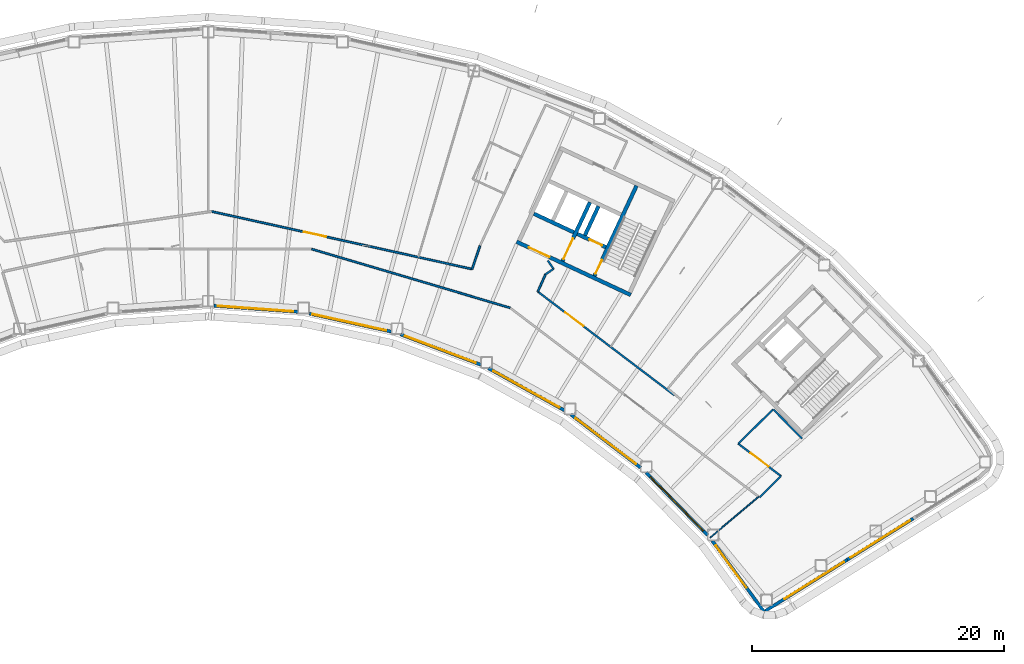
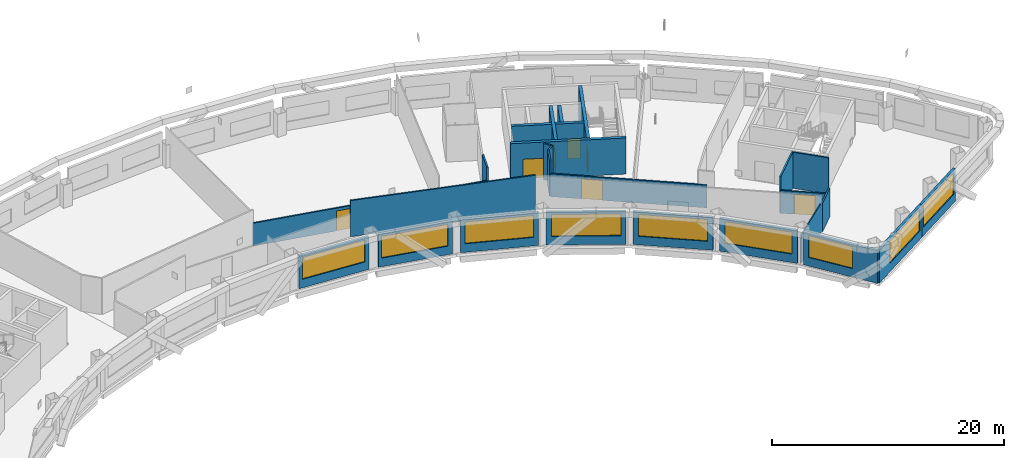
# One storey, part 8 of 20: 27 walls, 9 windows, 7 doors, 16 openings.
"""IFC4 building model written with IfcOpenShell, lengths in metres."""

import ifcopenshell
import ifcopenshell.guid

model = None  # the IFC model being written
_history = None  # IfcOwnerHistory: only IFC2X3 demands one
_inside = {}  # id of a spatial element -> (the spatial element, [elements in it])
_under = {}  # id of a project, library or spatial element -> (it, [spatial elements below it])
_declared = {}  # id of a project -> (the project, [libraries it declares])
_typed = {}  # id of a type object -> (the type object, [elements of that type])
_made_of = {}  # id of a material, layer set ... -> (it, [elements and type objects made of it])


def new_model(schema):
    """Start an empty IFC model of exactly this schema.

    Asked for "IFC4X3", IfcOpenShell would pick the latest addendum, in which some entities
    have other attributes; the version numbers below select the first issue.
    IFC2X3 requires an IfcOwnerHistory on every rooted entity: one is made here for all.
    """
    global model, _history
    if schema == "IFC4X3":
        model = ifcopenshell.file(schema_version=(4, 3, 0, 0))
    else:
        model = ifcopenshell.file(schema=schema)
    _inside.clear()
    _under.clear()
    _declared.clear()
    _typed.clear()
    _made_of.clear()
    _history = None
    if model.schema == "IFC2X3":
        org = make("IfcOrganization", Name="unknown")
        user = make(
            "IfcPersonAndOrganization",
            ThePerson=make("IfcPerson", FamilyName="unknown"),
            TheOrganization=org,
        )
        app = make(
            "IfcApplication",
            ApplicationDeveloper=org,
            Version="unknown",
            ApplicationFullName="unknown",
            ApplicationIdentifier="unknown",
        )
        _history = make(
            "IfcOwnerHistory",
            OwningUser=user,
            OwningApplication=app,
            ChangeAction="ADDED",
            CreationDate=0,
        )
    return model


def make(cls, **values):
    """One entity of the class cls with the attributes given. An attribute that is None is left unset."""
    return model.create_entity(
        cls, **{name: value for name, value in values.items() if value is not None}
    )


def rooted(cls, **values):
    """An entity with a GlobalId (a new one), such as an element, a storey or a relation."""
    return make(cls, GlobalId=ifcopenshell.guid.new(), OwnerHistory=_history, **values)


def si_unit(unit_type, name, prefix=None):
    """IfcSIUnit, for example si_unit("LENGTHUNIT", "METRE", prefix="MILLI")."""
    return make("IfcSIUnit", UnitType=unit_type, Prefix=prefix, Name=name)


def assignment(units):
    """IfcUnitAssignment: the units of a project."""
    return None if units is None else make("IfcUnitAssignment", Units=units)


def point(xyz):
    """IfcCartesianPoint."""
    return None if xyz is None else make("IfcCartesianPoint", Coordinates=xyz)


def direction(xyz):
    """IfcDirection."""
    return None if xyz is None else make("IfcDirection", DirectionRatios=xyz)


def frame(location, z_axis=None, x_axis=None):
    """IfcAxis2Placement3D, a coordinate frame: its origin and axes. An axis left out is left unset."""
    return make(
        "IfcAxis2Placement3D",
        Location=point(location),
        Axis=direction(z_axis),
        RefDirection=direction(x_axis),
    )


def frame_2d(location, x_axis=None):
    """IfcAxis2Placement2D, a coordinate frame in the plane: its origin and x axis."""
    return make(
        "IfcAxis2Placement2D", Location=point(location), RefDirection=direction(x_axis)
    )


def origin():
    """The frame at (0, 0, 0) with its axes left unset."""
    return frame((0.0, 0.0, 0.0))


def place(relative_to, where):
    """IfcLocalPlacement: puts the frame where relative to a parent placement (None: the world)."""
    return make(
        "IfcLocalPlacement", PlacementRelTo=relative_to, RelativePlacement=where
    )


def context(
    kind, dimensions, precision=None, world=None, true_north=None, identifier=None
):
    """IfcGeometricRepresentationContext, for example the 3D "Model" context."""
    return make(
        "IfcGeometricRepresentationContext",
        ContextIdentifier=identifier,
        ContextType=kind,
        CoordinateSpaceDimension=dimensions,
        Precision=precision,
        WorldCoordinateSystem=world,
        TrueNorth=true_north,
    )


def subcontext(parent, identifier, kind, view, scale=None):
    """IfcGeometricRepresentationSubContext, for example "Body" below "Model"."""
    return make(
        "IfcGeometricRepresentationSubContext",
        ContextIdentifier=identifier,
        ContextType=kind,
        ParentContext=parent,
        TargetScale=scale,
        TargetView=view,
    )


def project(units=None, contexts=None):
    """IfcProject with its units and contexts."""
    return rooted(
        "IfcProject",
        Name="project",
        RepresentationContexts=contexts,
        UnitsInContext=assignment(units),
    )


def spatial(cls, under=None, at=None, **own):
    """A site, building, storey or space (cls), placed at a placement, below another one or the project."""
    s = rooted(cls, ObjectPlacement=at, **own)
    if under is not None:
        _under.setdefault(under.id(), (under, []))[1].append(s)
    return s


def profile(cls, at=None, kind="AREA", **sizes):
    """A parametric profile (cls). Its sizes go by their IFC names, for example OverallWidth=200.0."""
    return make(cls, ProfileType=kind, Position=at, **sizes)


def rectangle(**sizes):
    """IfcRectangleProfileDef."""
    return profile("IfcRectangleProfileDef", **sizes)


def extrude(swept, where, along, depth):
    """IfcExtrudedAreaSolid: the profile swept, set in the frame where, extruded along a direction by depth."""
    return make(
        "IfcExtrudedAreaSolid",
        SweptArea=swept,
        Position=where,
        ExtrudedDirection=direction(along),
        Depth=depth,
    )


def shape(context_of_items, identifier, shape_type, items):
    """IfcShapeRepresentation: the items that make up one representation, for example the "Body"."""
    return make(
        "IfcShapeRepresentation",
        ContextOfItems=context_of_items,
        RepresentationIdentifier=identifier,
        RepresentationType=shape_type,
        Items=items,
    )


def material(Name=None, Category=None):
    """IfcMaterial."""
    return make("IfcMaterial", Name=Name, Category=Category)


def layer(
    of_material, thickness, ventilated=None, Name=None, Category=None, Priority=None
):
    """IfcMaterialLayer: one layer of a wall or slab, of a material (None: an air gap)."""
    return make(
        "IfcMaterialLayer",
        Material=of_material,
        LayerThickness=thickness,
        IsVentilated=ventilated,
        Name=Name,
        Category=Category,
        Priority=Priority,
    )


def layer_set(layers, Name=None):
    """IfcMaterialLayerSet."""
    return make("IfcMaterialLayerSet", MaterialLayers=layers, LayerSetName=Name)


def made_of(thing, what):
    """Note that an element or type object is made of a material, layer set ...; save() writes the relation."""
    if what is not None:
        _made_of.setdefault(what.id(), (what, []))[1].append(thing)
    return thing


def type_object(cls, material=None, **own):
    """A type object (cls), such as IfcWallType, which elements share."""
    return made_of(rooted(cls, **own), material)


def element(
    cls,
    number,
    at=None,
    inside=None,
    cuts=None,
    type_object=None,
    material=None,
    context=None,
    identifier="Body",
    shape_type=None,
    held_by="IfcProductDefinitionShape",
    body=None,
    shapes=None,
    **own,
):
    """One element of the class cls, such as IfcWall. Its Tag is "e" and its number.

    at: its placement. inside: the storey or other place that contains it. cuts: it is an
    opening in that element (IfcRelVoidsElement). A single representation is given by context,
    identifier, shape_type and body (its items); several are given by shapes. held_by: the class
    of the entity that holds the representations. save() writes the other relations.
    """
    e = rooted(cls, Tag="e%d" % number, ObjectPlacement=at, **own)
    if body is not None:
        shapes = [shape(context, identifier, shape_type, body)]
    if shapes is not None:
        e.Representation = make(held_by, Representations=shapes)
    if inside is not None:
        _inside.setdefault(inside.id(), (inside, []))[1].append(e)
    if cuts is not None:
        rooted(
            "IfcRelVoidsElement", RelatingBuildingElement=cuts, RelatedOpeningElement=e
        )
    if type_object is not None:
        _typed.setdefault(type_object.id(), (type_object, []))[1].append(e)
    return made_of(e, material)


def fill(opening, filler):
    """IfcRelFillsElement: the door or window that sits in an opening."""
    return rooted(
        "IfcRelFillsElement",
        RelatingOpeningElement=opening,
        RelatedBuildingElement=filler,
    )


def aggregate(whole, parts):
    """IfcRelAggregates: a whole, such as a stair, and the parts it consists of."""
    return rooted("IfcRelAggregates", RelatingObject=whole, RelatedObjects=parts)


def save(model, path):
    """Write the relations noted so far, then the file.

    IfcRelAggregates (storeys below a building ...), IfcRelContainedInSpatialStructure (elements
    in a storey), IfcRelDefinesByType, IfcRelAssociatesMaterial and IfcRelDeclares: one each for
    every whole, place, type object, material and project.
    """
    for whole, parts in _under.values():
        aggregate(whole, parts)
    for where, things in _inside.values():
        rooted(
            "IfcRelContainedInSpatialStructure",
            RelatedElements=things,
            RelatingStructure=where,
        )
    for kind, things in _typed.values():
        rooted("IfcRelDefinesByType", RelatedObjects=things, RelatingType=kind)
    for what, things in _made_of.values():
        rooted("IfcRelAssociatesMaterial", RelatedObjects=things, RelatingMaterial=what)
    for by, libraries in _declared.values():
        rooted("IfcRelDeclares", RelatingContext=by, RelatedDefinitions=libraries)
    model.write(path)


model = new_model("IFC4")

# Units and contexts
model_context = context("Model", 3, precision=1e-05, world=origin(), true_north=direction((0.0, 1.0)))
body_context = subcontext(model_context, "Body", "Model", "MODEL_VIEW")
ifc_project = project(units=[si_unit("LENGTHUNIT", "METRE"), si_unit("AREAUNIT", "SQUARE_METRE"), si_unit("VOLUMEUNIT", "CUBIC_METRE"), si_unit("PLANEANGLEUNIT", "RADIAN"), si_unit("MASSUNIT", "GRAM", prefix="KILO")], contexts=[model_context])

# Site, building, storey
site_placement = place(None, origin())
site = spatial("IfcSite", under=ifc_project, at=site_placement, CompositionType="ELEMENT")
building_placement = place(site_placement, origin())
building = spatial("IfcBuilding", under=site, at=building_placement, Name="Tuul Gate Civic Tower", CompositionType="ELEMENT")
storey_placement = place(building_placement, frame((0.0, 0.0, 197.300048828125)))
storey = spatial("IfcBuildingStorey", under=building, at=storey_placement, Name="Level 45", CompositionType="ELEMENT", Elevation=197.300048828125)

# Wall, opening, door
ifc_material_1 = material(Name="Concrete C50/60", Category="concrete")
ifc_layer_1 = layer(ifc_material_1, 0.300048828125)
ifc_layer_set_1 = layer_set([ifc_layer_1], Name="Concrete C50/60")
wall_type_1 = type_object("IfcWallType", Name="Core wall C50/60", PredefinedType="SHEAR", material=ifc_layer_set_1)
wall_1_placement = place(storey_placement, frame((34.5283203125, -7.25, 0.0), z_axis=(0.0, 0.0, 1.0), x_axis=(-0.906310338845, 0.422612789327, 0.0)))
wall_1 = element("IfcWall", 1, at=wall_1_placement, inside=storey, type_object=wall_type_1, Name="Core wall", PredefinedType="SHEAR", context=body_context, shape_type="SweptSolid", body=[
    extrude(rectangle(XDim=9.999755859375, YDim=0.300048828125, at=frame_2d((5.0, 0.0))), origin(), (0.0, 0.0, 1.0), 3.800048828125),
])
opening_1_placement = place(wall_1_placement, frame((7.125, 0.0, 0.0)))
opening_1 = element("IfcOpeningElement", 2, at=opening_1_placement, cuts=wall_1, Name="Opening LB-E3-LOBBY-1", PredefinedType="OPENING", context=body_context, shape_type="SweptSolid", body=[
    extrude(rectangle(XDim=1.800048828125, YDim=2.10009765625, at=frame_2d((0.89990234375, 1.050048828125))), frame((0.0, 0.16015625, 0.0), z_axis=(0.0, -1.0, 0.0), x_axis=(1.0, 0.0, 0.0)), (0.0, 0.0, 1.0), 0.320068359375),
])
ifc_material_2 = material(Name="Steel", Category="steel")
door_type_1 = type_object("IfcDoorType", Name="Lobby door", OperationType="DOUBLE_DOOR_SINGLE_SWING", PredefinedType="DOOR", material=ifc_material_2)
door_1_placement = place(opening_1_placement, frame((1.800048828125, 0.0, 0.0), z_axis=(0.0, 0.0, 1.0), x_axis=(-1.0, 0.0, 0.0)))
door_1 = element("IfcDoor", 3, at=door_1_placement, inside=storey, type_object=door_type_1, Name="Lobby door E3-LOBBY", OperationType="DOUBLE_DOOR_SINGLE_SWING", OverallHeight=2.10009765625, OverallWidth=1.800048828125, PredefinedType="DOOR", context=body_context, shape_type="SweptSolid", body=[
    extrude(rectangle(XDim=1.800048828125, YDim=2.10009765625, at=frame_2d((0.900146484375, 1.050048828125))), frame((0.0, 0.02490234375, 0.0), z_axis=(0.0, -1.0, 0.0), x_axis=(1.0, 0.0, 0.0)), (0.0, 0.0, 1.0), 0.050048828125),
])
fill(opening_1, door_1)

wall_2_placement = place(storey_placement, frame((32.545654296875, -3.456787109375, 0.0), z_axis=(0.0, 0.0, 1.0), x_axis=(-0.906300357825, 0.42263419337, 0.0)))
wall_2 = element("IfcWall", 4, at=wall_2_placement, inside=storey, type_object=wall_type_1, Name="Core wall", PredefinedType="SHEAR", context=body_context, shape_type="SweptSolid", body=[
    extrude(rectangle(XDim=2.500244140625, YDim=0.300048828125, at=frame_2d((1.25, 0.0))), origin(), (0.0, 0.0, 1.0), 3.800048828125),
])
opening_2_placement = place(wall_2_placement, frame((0.324951171875, 0.0, 0.0)))
opening_2 = element("IfcOpeningElement", 5, at=opening_2_placement, cuts=wall_2, Name="Opening LD-FF-2", PredefinedType="OPENING", context=body_context, shape_type="SweptSolid", body=[
    extrude(rectangle(XDim=1.10009765625, YDim=2.10009765625, at=frame_2d((0.550048828125, 1.050048828125))), frame((0.0, 0.16015625, 0.0), z_axis=(0.0, -1.0, 0.0), x_axis=(1.0, 0.0, 0.0)), (0.0, 0.0, 1.0), 0.320068359375),
])
ifc_material_3 = material(Name="Stainless steel", Category="steel")
door_type_2 = type_object("IfcDoorType", Name="Landing door", OperationType="DOUBLE_DOOR_SLIDING", PredefinedType="DOOR", material=ifc_material_3)
door_2_placement = place(opening_2_placement, origin())
door_2 = element("IfcDoor", 6, at=door_2_placement, inside=storey, type_object=door_type_2, Name="Fire-fighting lift FF-2 landing door", OperationType="DOUBLE_DOOR_SLIDING", OverallHeight=2.10009765625, OverallWidth=1.10009765625, PredefinedType="DOOR", context=body_context, shape_type="SweptSolid", body=[
    extrude(rectangle(XDim=1.10009765625, YDim=2.10009765625, at=frame_2d((0.550048828125, 1.050048828125))), frame((0.0, 0.02490234375, 0.0), z_axis=(0.0, -1.0, 0.0), x_axis=(1.0, 0.0, 0.0)), (0.0, 0.0, 1.0), 0.050048828125),
])
fill(opening_2, door_2)

# Wall
wall_3_placement = place(storey_placement, frame((30.0078125, -2.2734375, 0.0), z_axis=(0.0, 0.0, 1.0), x_axis=(-0.90630071767, 0.422633421716, 0.0)))
element("IfcWall", 7, at=wall_3_placement, inside=storey, type_object=wall_type_1, Name="Core wall", PredefinedType="SHEAR", context=body_context, shape_type="SweptSolid", body=[
    extrude(rectangle(XDim=3.5, YDim=0.300048828125, at=frame_2d((1.75, 0.0))), origin(), (0.0, 0.0, 1.0), 3.800048828125),
])

# Wall, opening, door
wall_4_placement = place(storey_placement, frame((31.646240234375, -5.740478515625, 0.0), z_axis=(0.0, 0.0, 1.0), x_axis=(0.422582604137, 0.906324413596, 0.0)))
wall_4 = element("IfcWall", 8, at=wall_4_placement, inside=storey, type_object=wall_type_1, Name="Core wall", PredefinedType="SHEAR", context=body_context, shape_type="SweptSolid", body=[
    extrude(rectangle(XDim=7.89990234375, YDim=0.300048828125, at=frame_2d((3.949951171875, 0.0))), origin(), (0.0, 0.0, 1.0), 3.800048828125),
])
opening_3_placement = place(wall_4_placement, frame((0.199951171875, 0.0, 0.0)))
opening_3 = element("IfcOpeningElement", 9, at=opening_3_placement, cuts=wall_4, Name="Opening SD-ST-4", PredefinedType="OPENING", context=body_context, shape_type="SweptSolid", body=[
    extrude(rectangle(XDim=1.199951171875, YDim=2.10009765625, at=frame_2d((0.60009765625, 1.050048828125))), frame((0.0, 0.16015625, 0.0), z_axis=(0.0, -1.0, 0.0), x_axis=(1.0, 0.0, 0.0)), (0.0, 0.0, 1.0), 0.320068359375),
])
ifc_material_4 = material(Name="Steel", Category="steel")
door_type_3 = type_object("IfcDoorType", Name="Stair door", OperationType="NOTDEFINED", PredefinedType="DOOR", material=ifc_material_4)
door_3_placement = place(opening_3_placement, origin())
door_3 = element("IfcDoor", 10, at=door_3_placement, inside=storey, type_object=door_type_3, Name="Stair door ST-4", OperationType="SINGLE_SWING_LEFT", OverallHeight=2.10009765625, OverallWidth=1.199951171875, PredefinedType="DOOR", context=body_context, shape_type="SweptSolid", body=[
    extrude(rectangle(XDim=1.199951171875, YDim=2.10009765625, at=frame_2d((0.60009765625, 1.050048828125))), frame((0.0, 0.02490234375, 0.0), z_axis=(0.0, -1.0, 0.0), x_axis=(1.0, 0.0, 0.0)), (0.0, 0.0, 1.0), 0.050048828125),
])
fill(opening_3, door_3)

# Wall
wall_5_placement = place(storey_placement, frame((30.886962890625, -2.517822265625, 0.0), z_axis=(0.0, 0.0, 1.0), x_axis=(0.422612891016, 0.906310291427, 0.0)))
element("IfcWall", 11, at=wall_5_placement, inside=storey, type_object=wall_type_1, Name="Core wall", PredefinedType="SHEAR", context=body_context, shape_type="SweptSolid", body=[
    extrude(rectangle(XDim=2.550048828125, YDim=0.300048828125, at=frame_2d((1.27490234375, 0.0))), origin(), (0.0, 0.0, 1.0), 3.800048828125),
])

# Wall, opening, door
wall_6_placement = place(storey_placement, frame((29.108642578125, -4.557373046875, 0.0), z_axis=(0.0, 0.0, 1.0), x_axis=(0.422566235356, 0.90633204552, 0.0)))
wall_6 = element("IfcWall", 12, at=wall_6_placement, inside=storey, type_object=wall_type_1, Name="Core wall", PredefinedType="SHEAR", context=body_context, shape_type="SweptSolid", body=[
    extrude(rectangle(XDim=5.150146484375, YDim=0.300048828125, at=frame_2d((2.5751953125, 0.0))), origin(), (0.0, 0.0, 1.0), 3.800048828125),
])
opening_4_placement = place(wall_6_placement, frame((0.175048828125, 0.0, 0.0)))
opening_4 = element("IfcOpeningElement", 13, at=opening_4_placement, cuts=wall_6, Name="Opening LB-E3-FLOBBY-1", PredefinedType="OPENING", context=body_context, shape_type="SweptSolid", body=[
    extrude(rectangle(XDim=1.800048828125, YDim=2.10009765625, at=frame_2d((0.89990234375, 1.050048828125))), frame((0.0, 0.16015625, 0.0), z_axis=(0.0, -1.0, 0.0), x_axis=(1.0, 0.0, 0.0)), (0.0, 0.0, 1.0), 0.320068359375),
])
door_4_placement = place(opening_4_placement, frame((1.800048828125, 0.0, 0.0), z_axis=(0.0, 0.0, 1.0), x_axis=(-1.0, 0.0, 0.0)))
door_4 = element("IfcDoor", 14, at=door_4_placement, inside=storey, type_object=door_type_1, Name="Lobby door E3-FLOBBY", OperationType="DOUBLE_DOOR_SINGLE_SWING", OverallHeight=2.10009765625, OverallWidth=1.800048828125, PredefinedType="DOOR", context=body_context, shape_type="SweptSolid", body=[
    extrude(rectangle(XDim=1.800048828125, YDim=2.10009765625, at=frame_2d((0.900146484375, 1.050048828125))), frame((0.0, 0.02490234375, 0.0), z_axis=(0.0, -1.0, 0.0), x_axis=(1.0, 0.0, 0.0)), (0.0, 0.0, 1.0), 0.050048828125),
])
fill(opening_4, door_4)

# Walls
ifc_material_5 = material(Name="Gypsum board partition")
ifc_layer_2 = layer(ifc_material_5, 0.14990234375)
ifc_layer_set_2 = layer_set([ifc_layer_2], Name="Gypsum board partition")
wall_type_2 = type_object("IfcWallType", Name="Corridor wall P150", PredefinedType="PARTITIONING", material=ifc_layer_set_2)
wall_7_placement = place(storey_placement, frame((43.056884765625, -19.046630859375, 0.0), z_axis=(0.0, 0.0, 1.0), x_axis=(0.714125074871, 0.700018126509, 0.0)))
element("IfcWall", 15, at=wall_7_placement, inside=storey, type_object=wall_type_2, Name="p005", PredefinedType="PARTITIONING", context=body_context, shape_type="SweptSolid", body=[
    extrude(rectangle(XDim=3.89404296875, YDim=0.14990234375, at=frame_2d((1.947021484375, 0.0))), origin(), (0.0, 0.0, 1.0), 3.800048828125),
])
wall_8_placement = place(storey_placement, frame((45.837646484375, -16.32080078125, 0.0), z_axis=(0.0, 0.0, 1.0), x_axis=(0.700020410366, -0.714122836122, 0.0)))
element("IfcWall", 16, at=wall_8_placement, inside=storey, type_object=wall_type_2, Name="p006", PredefinedType="PARTITIONING", context=body_context, shape_type="SweptSolid", body=[
    extrude(rectangle(XDim=3.254638671875, YDim=0.14990234375, at=frame_2d((1.62744140625, 0.0))), origin(), (0.0, 0.0, 1.0), 3.800048828125),
])
wall_9_placement = place(storey_placement, frame((9.199462890625, -3.59765625, 0.0), z_axis=(0.0, 0.0, 1.0), x_axis=(0.958779221767, -0.284152078837, 0.0)))
element("IfcWall", 17, at=wall_9_placement, inside=storey, type_object=wall_type_2, Name="p015", PredefinedType="PARTITIONING", context=body_context, shape_type="SweptSolid", body=[
    extrude(rectangle(XDim=16.429443359375, YDim=0.14990234375, at=frame_2d((8.21484375, 0.0))), origin(), (0.0, 0.0, 1.0), 3.800048828125),
])
wall_10_placement = place(storey_placement, frame((21.937744140625, -5.190185546875, 0.0), z_axis=(0.0, 0.0, 1.0), x_axis=(0.318481163811, 0.947929189495, 0.0)))
element("IfcWall", 18, at=wall_10_placement, inside=storey, type_object=wall_type_2, Name="p037", PredefinedType="PARTITIONING", context=body_context, shape_type="SweptSolid", body=[
    extrude(rectangle(XDim=1.949462890625, YDim=0.14990234375, at=frame_2d((0.974609375, 0.0))), origin(), (0.0, 0.0, 1.0), 3.800048828125),
])
wall_11_placement = place(storey_placement, frame((27.939208984375, -4.508544921875, 0.0), z_axis=(0.0, 0.0, 1.0), x_axis=(0.567323446444, -0.823495055914, 0.0)))
element("IfcWall", 19, at=wall_11_placement, inside=storey, type_object=wall_type_2, Name="p040", PredefinedType="PARTITIONING", context=body_context, shape_type="SweptSolid", body=[
    extrude(rectangle(XDim=0.80810546875, YDim=0.14990234375, at=frame_2d((0.404052734375, 0.0))), origin(), (0.0, 0.0, 1.0), 3.800048828125),
])
wall_12_placement = place(storey_placement, frame((27.76611328125, -5.609130859375, 0.0), z_axis=(0.0, 0.0, 1.0), x_axis=(0.823530734463, 0.567271653967, 0.0)))
element("IfcWall", 20, at=wall_12_placement, inside=storey, type_object=wall_type_2, Name="p041", PredefinedType="PARTITIONING", context=body_context, shape_type="SweptSolid", body=[
    extrude(rectangle(XDim=0.766845703125, YDim=0.14990234375, at=frame_2d((0.38330078125, 0.0))), origin(), (0.0, 0.0, 1.0), 3.800048828125),
])
wall_13_placement = place(storey_placement, frame((27.14404296875, -6.9794921875, 0.0), z_axis=(0.0, 0.0, 1.0), x_axis=(0.413350661789, 0.91057192489, 0.0)))
element("IfcWall", 21, at=wall_13_placement, inside=storey, type_object=wall_type_2, Name="p042", PredefinedType="PARTITIONING", context=body_context, shape_type="SweptSolid", body=[
    extrude(rectangle(XDim=1.5048828125, YDim=0.14990234375, at=frame_2d((0.75244140625, 0.0))), origin(), (0.0, 0.0, 1.0), 3.800048828125),
])

# Wall, opening, door
ifc_material_6 = material(Name="Gypsum board partition")
ifc_layer_3 = layer(ifc_material_6, 0.14990234375)
ifc_layer_set_3 = layer_set([ifc_layer_3], Name="Gypsum board partition")
wall_type_3 = type_object("IfcWallType", Name="Corridor wall P150 2400 HIGH", PredefinedType="PARTITIONING", material=ifc_layer_set_3)
wall_14_placement = place(storey_placement, frame((27.14404296875, -6.9794921875, 0.0), z_axis=(0.0, 0.0, 1.0), x_axis=(0.796810356631, -0.604229472606, 0.0)))
wall_14 = element("IfcWall", 22, at=wall_14_placement, inside=storey, type_object=wall_type_3, Name="p003", PredefinedType="PARTITIONING", context=body_context, shape_type="SweptSolid", body=[
    extrude(rectangle(XDim=13.6142578125, YDim=0.14990234375, at=frame_2d((6.80712890625, 0.0))), origin(), (0.0, 0.0, 1.0), 2.39990234375),
])
opening_5_placement = place(wall_14_placement, frame((2.74560546875, 0.0, 0.0)))
opening_5 = element("IfcOpeningElement", 23, at=opening_5_placement, cuts=wall_14, Name="Opening P-D11", PredefinedType="OPENING", context=body_context, shape_type="SweptSolid", body=[
    extrude(rectangle(XDim=1.800048828125, YDim=2.10009765625, at=frame_2d((0.89990234375, 1.050048828125))), frame((0.0, 0.0849609375, 0.0), z_axis=(0.0, -1.0, 0.0), x_axis=(1.0, 0.0, 0.0)), (0.0, 0.0, 1.0), 0.169921875),
])
ifc_material_7 = material(Name="Timber door leaf, double", Category="wood")
door_type_4 = type_object("IfcDoorType", Name="Door D18", OperationType="DOUBLE_DOOR_SINGLE_SWING", PredefinedType="DOOR", material=ifc_material_7)
door_5_placement = place(opening_5_placement, origin())
door_5 = element("IfcDoor", 24, at=door_5_placement, inside=storey, type_object=door_type_4, Name="Door P-D11", OperationType="DOUBLE_DOOR_SINGLE_SWING", OverallHeight=2.10009765625, OverallWidth=1.800048828125, PredefinedType="DOOR", context=body_context, shape_type="SweptSolid", body=[
    extrude(rectangle(XDim=1.800048828125, YDim=2.10009765625, at=frame_2d((0.89990234375, 1.050048828125))), frame((0.0, 0.02490234375, 0.0), z_axis=(0.0, -1.0, 0.0), x_axis=(1.0, 0.0, 0.0)), (0.0, 0.0, 1.0), 0.050048828125),
])
fill(opening_5, door_5)

wall_15_placement = place(storey_placement, frame((43.056884765625, -19.046630859375, 0.0), z_axis=(0.0, 0.0, 1.0), x_axis=(0.796823317095, -0.604212380984, 0.0)))
wall_15 = element("IfcWall", 25, at=wall_15_placement, inside=storey, type_object=wall_type_3, Name="p004", PredefinedType="PARTITIONING", context=body_context, shape_type="SweptSolid", body=[
    extrude(rectangle(XDim=4.2666015625, YDim=0.14990234375, at=frame_2d((2.13330078125, 0.0))), origin(), (0.0, 0.0, 1.0), 2.39990234375),
])
opening_6_placement = place(wall_15_placement, frame((1.2333984375, 0.0, 0.0)))
opening_6 = element("IfcOpeningElement", 26, at=opening_6_placement, cuts=wall_15, Name="Opening P-D01", PredefinedType="OPENING", context=body_context, shape_type="SweptSolid", body=[
    extrude(rectangle(XDim=1.800048828125, YDim=2.10009765625, at=frame_2d((0.89990234375, 1.050048828125))), frame((0.0, 0.0849609375, 0.0), z_axis=(0.0, -1.0, 0.0), x_axis=(1.0, 0.0, 0.0)), (0.0, 0.0, 1.0), 0.169921875),
])
door_6_placement = place(opening_6_placement, origin())
door_6 = element("IfcDoor", 27, at=door_6_placement, inside=storey, type_object=door_type_4, Name="Door P-D01", OperationType="DOUBLE_DOOR_SINGLE_SWING", OverallHeight=2.10009765625, OverallWidth=1.800048828125, PredefinedType="DOOR", context=body_context, shape_type="SweptSolid", body=[
    extrude(rectangle(XDim=1.800048828125, YDim=2.10009765625, at=frame_2d((0.89990234375, 1.050048828125))), frame((0.0, 0.02490234375, 0.0), z_axis=(0.0, -1.0, 0.0), x_axis=(1.0, 0.0, 0.0)), (0.0, 0.0, 1.0), 0.050048828125),
])
fill(opening_6, door_6)

wall_16_placement = place(storey_placement, frame((1.247802734375, -0.615234375, 0.0), z_axis=(0.0, 0.0, 1.0), x_axis=(0.976414514338, -0.215904368161, 0.0)))
wall_16 = element("IfcWall", 28, at=wall_16_placement, inside=storey, type_object=wall_type_3, Name="p024", PredefinedType="PARTITIONING", context=body_context, shape_type="SweptSolid", body=[
    extrude(rectangle(XDim=21.189697265625, YDim=0.14990234375, at=frame_2d((10.5947265625, 0.0))), origin(), (0.0, 0.0, 1.0), 2.39990234375),
])
opening_7_placement = place(wall_16_placement, frame((7.5068359375, 0.0, 0.0)))
opening_7 = element("IfcOpeningElement", 29, at=opening_7_placement, cuts=wall_16, Name="Opening P-D06", PredefinedType="OPENING", context=body_context, shape_type="SweptSolid", body=[
    extrude(rectangle(XDim=1.800048828125, YDim=2.10009765625, at=frame_2d((0.89990234375, 1.050048828125))), frame((0.0, 0.0849609375, 0.0), z_axis=(0.0, -1.0, 0.0), x_axis=(1.0, 0.0, 0.0)), (0.0, 0.0, 1.0), 0.169921875),
])
door_7_placement = place(opening_7_placement, origin())
door_7 = element("IfcDoor", 30, at=door_7_placement, inside=storey, type_object=door_type_4, Name="Door P-D06", OperationType="DOUBLE_DOOR_SINGLE_SWING", OverallHeight=2.10009765625, OverallWidth=1.800048828125, PredefinedType="DOOR", context=body_context, shape_type="SweptSolid", body=[
    extrude(rectangle(XDim=1.800048828125, YDim=2.10009765625, at=frame_2d((0.89990234375, 1.050048828125))), frame((0.0, 0.02490234375, 0.0), z_axis=(0.0, -1.0, 0.0), x_axis=(1.0, 0.0, 0.0)), (0.0, 0.0, 1.0), 0.050048828125),
])
fill(opening_7, door_7)

# Wall
ifc_material_8 = material(Name="Gypsum board partition")
ifc_layer_4 = layer(ifc_material_8, 0.14990234375)
ifc_layer_set_4 = layer_set([ifc_layer_4], Name="Gypsum board partition")
wall_type_4 = type_object("IfcWallType", Name="Corridor wall P150 3000 HIGH", PredefinedType="PARTITIONING", material=ifc_layer_set_4)
wall_17_placement = place(storey_placement, frame((44.74853515625, -23.310791015625, 0.0), z_axis=(0.0, 0.0, 1.0), x_axis=(0.711618741857, 0.70256584477, 0.0)))
element("IfcWall", 31, at=wall_17_placement, inside=storey, type_object=wall_type_4, Name="p002", PredefinedType="PARTITIONING", context=body_context, shape_type="SweptSolid", body=[
    extrude(rectangle(XDim=2.400146484375, YDim=0.14990234375, at=frame_2d((1.2001953125, 0.0))), origin(), (0.0, 0.0, 1.0), 3.0),
])

# Wall, opening, window
ifc_material_9 = material(Name="Precast concrete C40/50", Category="concrete")
ifc_layer_5 = layer(ifc_material_9, 0.25)
ifc_layer_set_5 = layer_set([ifc_layer_5], Name="Precast concrete C40/50")
wall_type_5 = type_object("IfcWallType", Name="External wall", PredefinedType="STANDARD", material=ifc_layer_set_5)
wall_18_placement = place(storey_placement, frame((1.43994140625, -8.098388671875, 0.0), z_axis=(0.0, 0.0, 1.0), x_axis=(0.99738574908, -0.072261106633, 0.0)))
wall_18 = element("IfcWall", 32, at=wall_18_placement, inside=storey, type_object=wall_type_5, Name="External wall", PredefinedType="STANDARD", context=body_context, shape_type="SweptSolid", body=[
    extrude(rectangle(XDim=6.689697265625, YDim=0.25, at=frame_2d((3.3447265625, 0.0))), origin(), (0.0, 0.0, 1.0), 3.449951171875),
])
opening_8_placement = place(wall_18_placement, frame((0.3212890625, 0.0, 0.89990234375)))
opening_8 = element("IfcOpeningElement", 33, at=opening_8_placement, cuts=wall_18, Name="Opening W26", PredefinedType="OPENING", context=body_context, shape_type="SweptSolid", body=[
    extrude(rectangle(XDim=6.0, YDim=2.300048828125, at=frame_2d((3.0, 1.14990234375))), frame((0.0, 0.135009765625, 0.0), z_axis=(0.0, -1.0, 0.0), x_axis=(1.0, 0.0, 0.0)), (0.0, 0.0, 1.0), 0.27001953125),
])
ifc_material_10 = material(Name="Glass", Category="glass")
window_type_1 = type_object("IfcWindowType", Name="Window W26 6000 x 2300", PartitioningType="SINGLE_PANEL", PredefinedType="WINDOW", material=ifc_material_10)
window_1_placement = place(opening_8_placement, origin())
window_1 = element("IfcWindow", 34, at=window_1_placement, inside=storey, type_object=window_type_1, Name="Window", OverallHeight=2.300048828125, OverallWidth=6.0, PartitioningType="SINGLE_PANEL", PredefinedType="WINDOW", context=body_context, shape_type="SweptSolid", body=[
    extrude(rectangle(XDim=6.0, YDim=2.300048828125, at=frame_2d((3.0, 1.14990234375))), frame((0.0, 0.030029296875, 0.0), z_axis=(0.0, -1.0, 0.0), x_axis=(1.0, 0.0, 0.0)), (0.0, 0.0, 1.0), 0.06005859375),
])
fill(opening_8, window_1)

wall_19_placement = place(storey_placement, frame((9.011962890625, -8.720458984375, 0.0), z_axis=(0.0, 0.0, 1.0), x_axis=(0.976558520258, -0.21525207667, 0.0)))
wall_19 = element("IfcWall", 35, at=wall_19_placement, inside=storey, type_object=wall_type_5, Name="External wall", PredefinedType="STANDARD", context=body_context, shape_type="SweptSolid", body=[
    extrude(rectangle(XDim=6.670166015625, YDim=0.25, at=frame_2d((3.3349609375, 0.0))), origin(), (0.0, 0.0, 1.0), 3.449951171875),
])
opening_9_placement = place(wall_19_placement, frame((0.263427734375, 0.0, 0.89990234375)))
opening_9 = element("IfcOpeningElement", 36, at=opening_9_placement, cuts=wall_19, Name="Opening W26", PredefinedType="OPENING", context=body_context, shape_type="SweptSolid", body=[
    extrude(rectangle(XDim=6.0, YDim=2.300048828125, at=frame_2d((3.0, 1.14990234375))), frame((0.0, 0.135009765625, 0.0), z_axis=(0.0, -1.0, 0.0), x_axis=(1.0, 0.0, 0.0)), (0.0, 0.0, 1.0), 0.27001953125),
])
window_2_placement = place(opening_9_placement, origin())
window_2 = element("IfcWindow", 37, at=window_2_placement, inside=storey, type_object=window_type_1, Name="Window", OverallHeight=2.300048828125, OverallWidth=6.0, PartitioningType="SINGLE_PANEL", PredefinedType="WINDOW", context=body_context, shape_type="SweptSolid", body=[
    extrude(rectangle(XDim=6.0, YDim=2.300048828125, at=frame_2d((3.0, 1.14990234375))), frame((0.0, 0.030029296875, 0.0), z_axis=(0.0, -1.0, 0.0), x_axis=(1.0, 0.0, 0.0)), (0.0, 0.0, 1.0), 0.06005859375),
])
fill(opening_9, window_2)

wall_20_placement = place(storey_placement, frame((16.248046875, -10.373046875, 0.0), z_axis=(0.0, 0.0, 1.0), x_axis=(0.935360534404, -0.353695731779, 0.0)))
wall_20 = element("IfcWall", 38, at=wall_20_placement, inside=storey, type_object=wall_type_5, Name="External wall", PredefinedType="STANDARD", context=body_context, shape_type="SweptSolid", body=[
    extrude(rectangle(XDim=6.81982421875, YDim=0.25, at=frame_2d((3.409912109375, 0.0))), origin(), (0.0, 0.0, 1.0), 3.449951171875),
])
opening_10_placement = place(wall_20_placement, frame((0.3818359375, 0.0, 0.89990234375)))
opening_10 = element("IfcOpeningElement", 39, at=opening_10_placement, cuts=wall_20, Name="Opening W26", PredefinedType="OPENING", context=body_context, shape_type="SweptSolid", body=[
    extrude(rectangle(XDim=6.0, YDim=2.300048828125, at=frame_2d((3.0, 1.14990234375))), frame((0.0, 0.135009765625, 0.0), z_axis=(0.0, -1.0, 0.0), x_axis=(1.0, 0.0, 0.0)), (0.0, 0.0, 1.0), 0.27001953125),
])
window_3_placement = place(opening_10_placement, origin())
window_3 = element("IfcWindow", 40, at=window_3_placement, inside=storey, type_object=window_type_1, Name="Window", OverallHeight=2.300048828125, OverallWidth=6.0, PartitioningType="SINGLE_PANEL", PredefinedType="WINDOW", context=body_context, shape_type="SweptSolid", body=[
    extrude(rectangle(XDim=6.0, YDim=2.300048828125, at=frame_2d((3.0, 1.14990234375))), frame((0.0, 0.030029296875, 0.0), z_axis=(0.0, -1.0, 0.0), x_axis=(1.0, 0.0, 0.0)), (0.0, 0.0, 1.0), 0.06005859375),
])
fill(opening_10, window_3)

wall_21_placement = place(storey_placement, frame((23.21875, -13.05810546875, 0.0), z_axis=(0.0, 0.0, 1.0), x_axis=(0.874638200543, -0.484776255763, 0.0)))
wall_21 = element("IfcWall", 41, at=wall_21_placement, inside=storey, type_object=wall_type_5, Name="External wall", PredefinedType="STANDARD", context=body_context, shape_type="SweptSolid", body=[
    extrude(rectangle(XDim=6.9140625, YDim=0.25, at=frame_2d((3.45703125, 0.0))), origin(), (0.0, 0.0, 1.0), 3.449951171875),
])
opening_11_placement = place(wall_21_placement, frame((0.453369140625, 0.0, 0.89990234375)))
opening_11 = element("IfcOpeningElement", 42, at=opening_11_placement, cuts=wall_21, Name="Opening W26", PredefinedType="OPENING", context=body_context, shape_type="SweptSolid", body=[
    extrude(rectangle(XDim=6.0, YDim=2.300048828125, at=frame_2d((3.0, 1.14990234375))), frame((0.0, 0.135009765625, 0.0), z_axis=(0.0, -1.0, 0.0), x_axis=(1.0, 0.0, 0.0)), (0.0, 0.0, 1.0), 0.27001953125),
])
window_4_placement = place(opening_11_placement, origin())
window_4 = element("IfcWindow", 43, at=window_4_placement, inside=storey, type_object=window_type_1, Name="Window", OverallHeight=2.300048828125, OverallWidth=6.0, PartitioningType="SINGLE_PANEL", PredefinedType="WINDOW", context=body_context, shape_type="SweptSolid", body=[
    extrude(rectangle(XDim=6.0, YDim=2.300048828125, at=frame_2d((3.0, 1.14990234375))), frame((0.0, 0.030029296875, 0.0), z_axis=(0.0, -1.0, 0.0), x_axis=(1.0, 0.0, 0.0)), (0.0, 0.0, 1.0), 0.06005859375),
])
fill(opening_11, window_4)

wall_22_placement = place(storey_placement, frame((29.770751953125, -16.738037109375, 0.0), z_axis=(0.0, 0.0, 1.0), x_axis=(0.795583108554, -0.605844466331, 0.0)))
wall_22 = element("IfcWall", 44, at=wall_22_placement, inside=storey, type_object=wall_type_5, Name="External wall", PredefinedType="STANDARD", context=body_context, shape_type="SweptSolid", body=[
    extrude(rectangle(XDim=6.95849609375, YDim=0.25, at=frame_2d((3.479248046875, 0.0))), origin(), (0.0, 0.0, 1.0), 3.449951171875),
])
opening_12_placement = place(wall_22_placement, frame((0.480224609375, 0.0, 0.89990234375)))
opening_12 = element("IfcOpeningElement", 45, at=opening_12_placement, cuts=wall_22, Name="Opening W26", PredefinedType="OPENING", context=body_context, shape_type="SweptSolid", body=[
    extrude(rectangle(XDim=6.0, YDim=2.300048828125, at=frame_2d((3.0, 1.14990234375))), frame((0.0, 0.135009765625, 0.0), z_axis=(0.0, -1.0, 0.0), x_axis=(1.0, 0.0, 0.0)), (0.0, 0.0, 1.0), 0.27001953125),
])
window_5_placement = place(opening_12_placement, origin())
window_5 = element("IfcWindow", 46, at=window_5_placement, inside=storey, type_object=window_type_1, Name="Window", OverallHeight=2.300048828125, OverallWidth=6.0, PartitioningType="SINGLE_PANEL", PredefinedType="WINDOW", context=body_context, shape_type="SweptSolid", body=[
    extrude(rectangle(XDim=6.0, YDim=2.300048828125, at=frame_2d((3.0, 1.14990234375))), frame((0.0, 0.030029296875, 0.0), z_axis=(0.0, -1.0, 0.0), x_axis=(1.0, 0.0, 0.0)), (0.0, 0.0, 1.0), 0.06005859375),
])
fill(opening_12, window_5)

wall_23_placement = place(storey_placement, frame((35.741943359375, -21.3369140625, 0.0), z_axis=(0.0, 0.0, 1.0), x_axis=(0.700101181113, -0.71404365147, 0.0)))
wall_23 = element("IfcWall", 47, at=wall_23_placement, inside=storey, type_object=wall_type_5, Name="External wall", PredefinedType="STANDARD", context=body_context, shape_type="SweptSolid", body=[
    extrude(rectangle(XDim=6.96923828125, YDim=0.25, at=frame_2d((3.484619140625, 0.0))), origin(), (0.0, 0.0, 1.0), 3.449951171875),
])
opening_13_placement = place(wall_23_placement, frame((0.485107421875, 0.0, 0.89990234375)))
opening_13 = element("IfcOpeningElement", 48, at=opening_13_placement, cuts=wall_23, Name="Opening W26", PredefinedType="OPENING", context=body_context, shape_type="SweptSolid", body=[
    extrude(rectangle(XDim=6.0, YDim=2.300048828125, at=frame_2d((3.0, 1.14990234375))), frame((0.0, 0.135009765625, 0.0), z_axis=(0.0, -1.0, 0.0), x_axis=(1.0, 0.0, 0.0)), (0.0, 0.0, 1.0), 0.27001953125),
])
window_6_placement = place(opening_13_placement, origin())
window_6 = element("IfcWindow", 49, at=window_6_placement, inside=storey, type_object=window_type_1, Name="Window", OverallHeight=2.300048828125, OverallWidth=6.0, PartitioningType="SINGLE_PANEL", PredefinedType="WINDOW", context=body_context, shape_type="SweptSolid", body=[
    extrude(rectangle(XDim=6.0, YDim=2.300048828125, at=frame_2d((3.0, 1.14990234375))), frame((0.0, 0.030029296875, 0.0), z_axis=(0.0, -1.0, 0.0), x_axis=(1.0, 0.0, 0.0)), (0.0, 0.0, 1.0), 0.06005859375),
])
fill(opening_13, window_6)

wall_24_placement = place(storey_placement, frame((40.997802734375, -26.759033203125, 0.0), z_axis=(0.0, 0.0, 1.0), x_axis=(0.589748783254, -0.807586758591, 0.0)))
wall_24 = element("IfcWall", 50, at=wall_24_placement, inside=storey, type_object=wall_type_5, Name="External wall", PredefinedType="STANDARD", context=body_context, shape_type="SweptSolid", body=[
    extrude(rectangle(XDim=6.97216796875, YDim=0.25, at=frame_2d((3.486083984375, 0.0))), origin(), (0.0, 0.0, 1.0), 3.449951171875),
])
opening_14_placement = place(wall_24_placement, frame((0.46435546875, 0.0, 0.89990234375)))
opening_14 = element("IfcOpeningElement", 51, at=opening_14_placement, cuts=wall_24, Name="Opening W25", PredefinedType="OPENING", context=body_context, shape_type="SweptSolid", body=[
    extrude(rectangle(XDim=4.14990234375, YDim=2.300048828125, at=frame_2d((2.074951171875, 1.14990234375))), frame((0.0, 0.135009765625, 0.0), z_axis=(0.0, -1.0, 0.0), x_axis=(1.0, 0.0, 0.0)), (0.0, 0.0, 1.0), 0.27001953125),
])
ifc_material_11 = material(Name="Glass", Category="glass")
window_type_2 = type_object("IfcWindowType", Name="Window W25 4150 x 2300", PartitioningType="SINGLE_PANEL", PredefinedType="WINDOW", material=ifc_material_11)
window_7_placement = place(opening_14_placement, origin())
window_7 = element("IfcWindow", 52, at=window_7_placement, inside=storey, type_object=window_type_2, Name="Window", OverallHeight=2.300048828125, OverallWidth=4.14990234375, PartitioningType="SINGLE_PANEL", PredefinedType="WINDOW", context=body_context, shape_type="SweptSolid", body=[
    extrude(rectangle(XDim=4.14990234375, YDim=2.300048828125, at=frame_2d((2.074951171875, 1.14990234375))), frame((0.0, 0.030029296875, 0.0), z_axis=(0.0, -1.0, 0.0), x_axis=(1.0, 0.0, 0.0)), (0.0, 0.0, 1.0), 0.06005859375),
])
fill(opening_14, window_7)

wall_25_placement = place(storey_placement, frame((45.109619140625, -32.3896484375, 0.0), z_axis=(0.0, 0.0, 1.0), x_axis=(0.848047613046, 0.52992003737, 0.0)))
wall_25 = element("IfcWall", 53, at=wall_25_placement, inside=storey, type_object=wall_type_5, Name="External wall", PredefinedType="STANDARD", context=body_context, shape_type="SweptSolid", body=[
    extrude(rectangle(XDim=7.787841796875, YDim=0.25, at=frame_2d((3.89404296875, 0.0))), origin(), (0.0, 0.0, 1.0), 3.449951171875),
])
opening_15_placement = place(wall_25_placement, frame((1.92138671875, 0.0, 0.89990234375)))
opening_15 = element("IfcOpeningElement", 54, at=opening_15_placement, cuts=wall_25, Name="Opening W24", PredefinedType="OPENING", context=body_context, shape_type="SweptSolid", body=[
    extrude(rectangle(XDim=5.550048828125, YDim=2.300048828125, at=frame_2d((2.77490234375, 1.14990234375))), frame((0.0, 0.135009765625, 0.0), z_axis=(0.0, -1.0, 0.0), x_axis=(1.0, 0.0, 0.0)), (0.0, 0.0, 1.0), 0.27001953125),
])
ifc_material_12 = material(Name="Glass", Category="glass")
window_type_3 = type_object("IfcWindowType", Name="Window W24 5550 x 2300", PartitioningType="SINGLE_PANEL", PredefinedType="WINDOW", material=ifc_material_12)
window_8_placement = place(opening_15_placement, origin())
window_8 = element("IfcWindow", 55, at=window_8_placement, inside=storey, type_object=window_type_3, Name="Window", OverallHeight=2.300048828125, OverallWidth=5.550048828125, PartitioningType="SINGLE_PANEL", PredefinedType="WINDOW", context=body_context, shape_type="SweptSolid", body=[
    extrude(rectangle(XDim=5.550048828125, YDim=2.300048828125, at=frame_2d((2.77490234375, 1.14990234375))), frame((0.0, 0.030029296875, 0.0), z_axis=(0.0, -1.0, 0.0), x_axis=(1.0, 0.0, 0.0)), (0.0, 0.0, 1.0), 0.06005859375),
])
fill(opening_15, window_8)

wall_26_placement = place(storey_placement, frame((51.714111328125, -28.2626953125, 0.0), z_axis=(0.0, 0.0, 1.0), x_axis=(0.848053758074, 0.529910203164, 0.0)))
wall_26 = element("IfcWall", 56, at=wall_26_placement, inside=storey, type_object=wall_type_5, Name="External wall", PredefinedType="STANDARD", context=body_context, shape_type="SweptSolid", body=[
    extrude(rectangle(XDim=6.182861328125, YDim=0.25, at=frame_2d((3.09130859375, 0.0))), origin(), (0.0, 0.0, 1.0), 3.449951171875),
])
opening_16_placement = place(wall_26_placement, frame((0.31640625, 0.0, 0.89990234375)))
opening_16 = element("IfcOpeningElement", 57, at=opening_16_placement, cuts=wall_26, Name="Opening W24", PredefinedType="OPENING", context=body_context, shape_type="SweptSolid", body=[
    extrude(rectangle(XDim=5.550048828125, YDim=2.300048828125, at=frame_2d((2.77490234375, 1.14990234375))), frame((0.0, 0.135009765625, 0.0), z_axis=(0.0, -1.0, 0.0), x_axis=(1.0, 0.0, 0.0)), (0.0, 0.0, 1.0), 0.27001953125),
])
window_9_placement = place(opening_16_placement, origin())
window_9 = element("IfcWindow", 58, at=window_9_placement, inside=storey, type_object=window_type_3, Name="Window", OverallHeight=2.300048828125, OverallWidth=5.550048828125, PartitioningType="SINGLE_PANEL", PredefinedType="WINDOW", context=body_context, shape_type="SweptSolid", body=[
    extrude(rectangle(XDim=5.550048828125, YDim=2.300048828125, at=frame_2d((2.77490234375, 1.14990234375))), frame((0.0, 0.030029296875, 0.0), z_axis=(0.0, -1.0, 0.0), x_axis=(1.0, 0.0, 0.0)), (0.0, 0.0, 1.0), 0.06005859375),
])
fill(opening_16, window_9)

# Wall
ifc_material_13 = material(Name="Gypsum board partition")
ifc_layer_6 = layer(ifc_material_13, 0.10009765625)
ifc_layer_set_6 = layer_set([ifc_layer_6], Name="Gypsum board partition")
wall_type_6 = type_object("IfcWallType", Name="Partition P100 3000 HIGH", PredefinedType="PARTITIONING", material=ifc_layer_set_6)
wall_27_placement = place(storey_placement, frame((40.81884765625, -26.5224609375, 0.0), z_axis=(0.0, 0.0, 1.0), x_axis=(0.762845526872, 0.646580777731, 0.0)))
element("IfcWall", 59, at=wall_27_placement, inside=storey, type_object=wall_type_6, Name="p001", PredefinedType="PARTITIONING", context=body_context, shape_type="SweptSolid", body=[
    extrude(rectangle(XDim=5.054443359375, YDim=0.10009765625, at=frame_2d((2.52734375, 0.0))), origin(), (0.0, 0.0, 1.0), 3.0),
])

save(model, "model.ifc")
